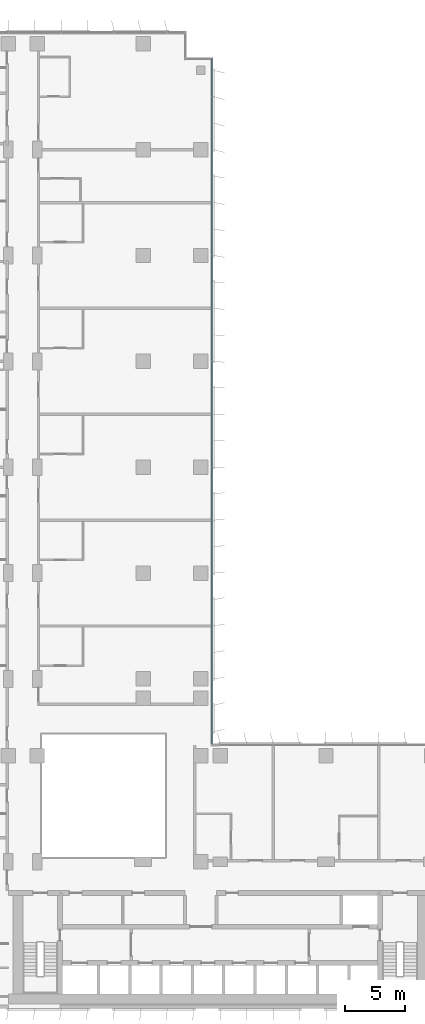
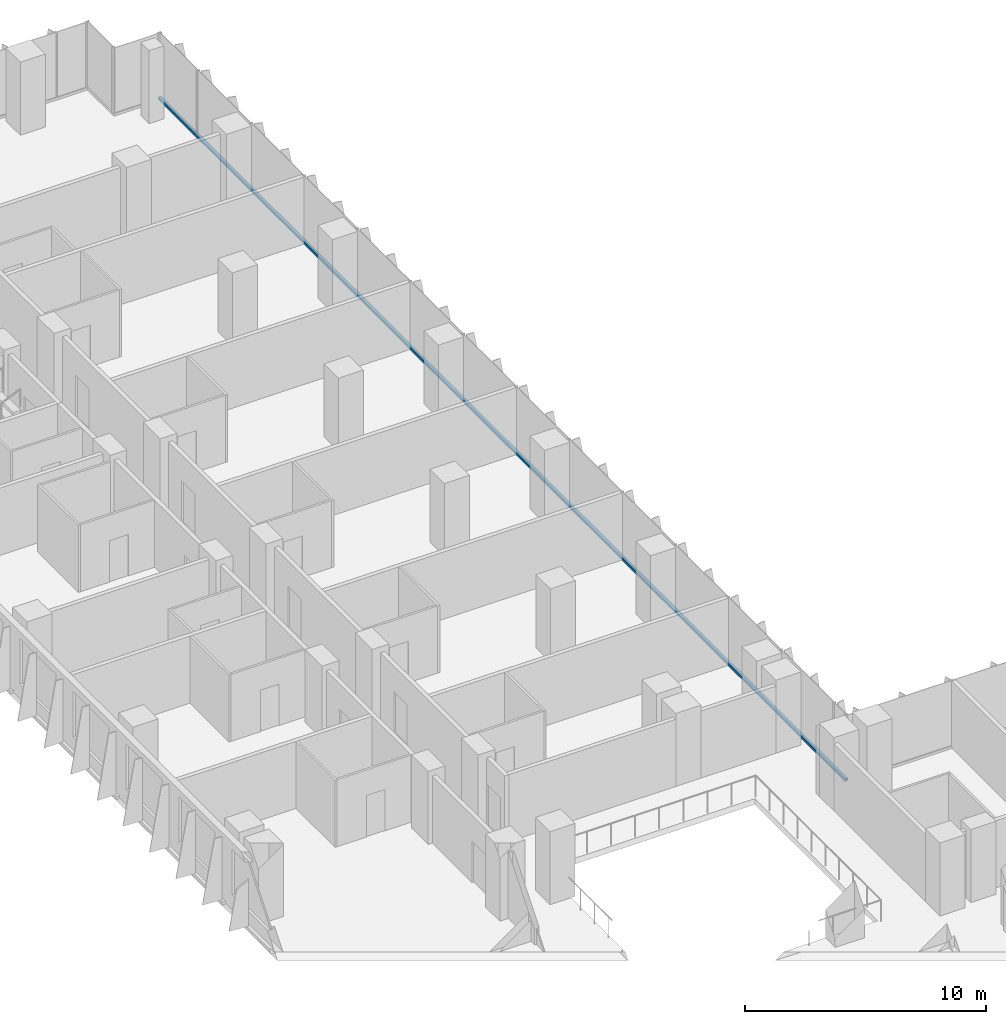
# One storey, part 6 of 22: 1 member, 1 element without a shape of its own.
"""IFC4 building model written with IfcOpenShell, lengths in metres."""

from ifc_helpers import new_model, si_unit, direction, frame, origin, origin_2d, place, context, subcontext, project, spatial, rectangle, extrude, material, material_profile, profile_set, type_object, element, aggregate, save


model = new_model("IFC4")

# Units and contexts
model_context = context("Model", 3, precision=1e-05, world=origin(), true_north=direction((0.0, 1.0)))
body_context = subcontext(model_context, "Body", "Model", "MODEL_VIEW")
ifc_project = project(units=[si_unit("LENGTHUNIT", "METRE"), si_unit("AREAUNIT", "SQUARE_METRE"), si_unit("VOLUMEUNIT", "CUBIC_METRE"), si_unit("PLANEANGLEUNIT", "RADIAN"), si_unit("MASSUNIT", "GRAM", prefix="KILO")], contexts=[model_context])

# Site, building, storey
site_placement = place(None, origin())
site = spatial("IfcSite", under=ifc_project, at=site_placement, CompositionType="ELEMENT")
building_placement = place(site_placement, origin())
building = spatial("IfcBuilding", under=site, at=building_placement, Name="Kemantara Hotel Tower", CompositionType="ELEMENT")
storey_placement = place(building_placement, frame((0.0, 0.0, 87.10009765625)))
storey = spatial("IfcBuildingStorey", under=building, at=storey_placement, Name="L20", CompositionType="ELEMENT", Elevation=87.10009765625)

# Curtain wall, member
ifc_material_1 = material(Name="Low-E tinted double insulated glass 36 mm", Category="glass")
curtain_wall_type = type_object("IfcCurtainWallType", Name="TOWER CURTAIN WALL, FRONT FACES", PredefinedType="USERDEFINED", material=ifc_material_1)
curtain_wall_placement = place(storey_placement, origin())
curtain_wall = element("IfcCurtainWall", 1, at=curtain_wall_placement, inside=storey, type_object=curtain_wall_type, Name="CW4 L20 T2-R14-1", ObjectType="TOWER CURTAIN WALL, FRONT FACES", PredefinedType="USERDEFINED")
ifc_material_2 = material(Name="Aluminium 6063-T6 bronze anodised", Category="aluminium")
ifc_material_profile = material_profile(ifc_material_2, rectangle(XDim=0.14990234375, YDim=0.1201171875, at=origin_2d()), Name="TOWER CURTAIN WALL, FRONT FACES TRANSOM")
ifc_profile_set = profile_set([ifc_material_profile], Name="Aluminium 6063-T6 bronze anodised")
member_type = type_object("IfcMemberType", Name="TOWER CURTAIN WALL, FRONT FACES TRANSOM", PredefinedType="USERDEFINED", material=ifc_profile_set)
member_placement = place(storey_placement, frame((26.72509765625, 22.0, 0.059814453125), z_axis=(0.0, 1.0, 0.0), x_axis=(-1.0, 0.0, 0.0)))
member = element("IfcMember", 2, at=member_placement, type_object=member_type, Name="CW4 sill transom T2-R14-1", ObjectType="TRANSOM", PredefinedType="USERDEFINED", context=body_context, shape_type="SweptSolid", body=[
    extrude(rectangle(XDim=0.14990234375, YDim=0.1201171875, at=origin_2d()), origin(), (0.0, 0.0, 1.0), 57.0),
])
aggregate(curtain_wall, [member])

save(model, "model.ifc")
